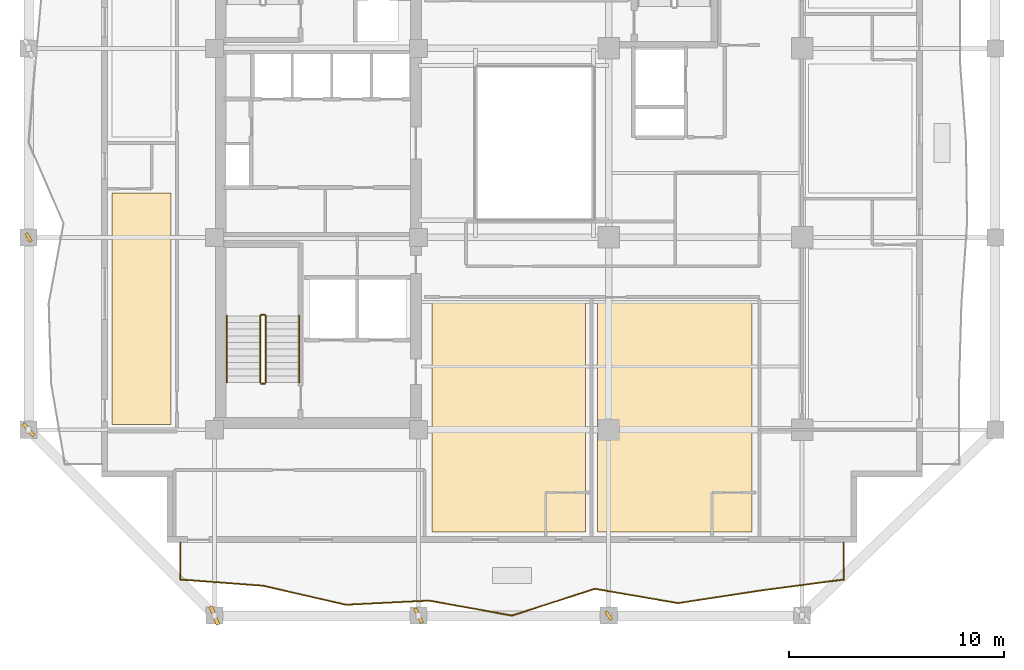
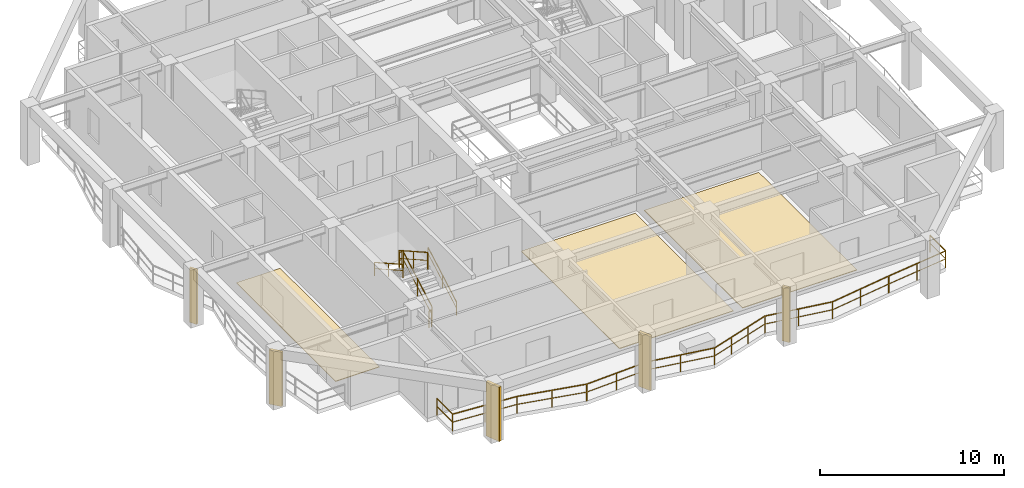
# One storey, part 8 of 11: 7 railings, 5 shading devices, 3 coverings.
"""IFC4 building model written with IfcOpenShell, lengths in metres."""

from ifc_helpers import new_model, si_unit, direction, frame, origin, origin_2d, place, context, subcontext, project, spatial, polyline, rectangle, outline, extrude, material, layer, layer_set, type_object, element, save


model = new_model("IFC4")

# Units and contexts
model_context = context("Model", 3, precision=1e-05, world=origin(), true_north=direction((0.0, 1.0)))
body_context = subcontext(model_context, "Body", "Model", "MODEL_VIEW")
ifc_project = project(units=[si_unit("LENGTHUNIT", "METRE"), si_unit("AREAUNIT", "SQUARE_METRE"), si_unit("VOLUMEUNIT", "CUBIC_METRE"), si_unit("PLANEANGLEUNIT", "RADIAN"), si_unit("MASSUNIT", "GRAM", prefix="KILO")], contexts=[model_context])

# Site, building, storey
site_placement = place(None, origin())
site = spatial("IfcSite", under=ifc_project, at=site_placement, CompositionType="ELEMENT")
building_placement = place(site_placement, origin())
building = spatial("IfcBuilding", under=site, at=building_placement, Name="Kundavana Baori Tower", CompositionType="ELEMENT")
storey_placement = place(building_placement, frame((0.0, 0.0, 119.39990234375)))
storey = spatial("IfcBuildingStorey", under=building, at=storey_placement, Name="L28", CompositionType="ELEMENT", Elevation=119.39990234375)

# Coverings
ifc_material_1 = material(Name="Honed Kota Stone and Terrazzo Flooring", Category="masonry")
ifc_layer = layer(ifc_material_1, 0.0400390625, Name="COV-FLR-TERR-40")
ifc_layer_set = layer_set([ifc_layer], Name="Honed Kota Stone and Terrazzo Flooring")
covering_type = type_object("IfcCoveringType", Name="COV-FLR-TERR-40", PredefinedType="FLOORING", material=ifc_layer_set)
covering_1_placement = place(storey_placement, origin())
element("IfcCovering", 1, at=covering_1_placement, inside=storey, type_object=covering_type, Name="L28 Room Finished Stone Flooring 1", PredefinedType="FLOORING", context=body_context, shape_type="SweptSolid", body=[
    extrude(outline(polyline([(10.679931640625, 15.5), (13.419921875, 15.5), (13.419921875, 26.27001953125), (10.679931640625, 26.27001953125), (10.679931640625, 15.5)])), origin(), (0.0, 0.0, 1.0), 0.0400390625),
])
covering_2_placement = place(storey_placement, origin())
element("IfcCovering", 2, at=covering_2_placement, inside=storey, type_object=covering_type, Name="L28 Room Finished Stone Flooring 3", PredefinedType="FLOORING", context=body_context, shape_type="SweptSolid", body=[
    extrude(outline(polyline([(25.580078125, 10.47998046875), (32.719970703125, 10.47998046875), (32.719970703125, 21.139892578125), (25.580078125, 21.139892578125), (25.580078125, 10.47998046875)])), origin(), (0.0, 0.0, 1.0), 0.0400390625),
])
covering_3_placement = place(storey_placement, origin())
element("IfcCovering", 3, at=covering_3_placement, inside=storey, type_object=covering_type, Name="L28 Room Finished Stone Flooring 4", PredefinedType="FLOORING", context=body_context, shape_type="SweptSolid", body=[
    extrude(outline(polyline([(33.280029296875, 10.47998046875), (40.4599609375, 10.47998046875), (40.4599609375, 21.139892578125), (33.280029296875, 21.139892578125), (33.280029296875, 10.47998046875)])), origin(), (0.0, 0.0, 1.0), 0.0400390625),
])

# Railings
ifc_material_2 = material(Name="Architectural Patinated Bronze Metalwork")
railing_type_1 = type_object("IfcRailingType", Name="RL-BAL-1150", PredefinedType="BALUSTRADE", material=ifc_material_2)
railing_1_placement = place(storey_placement, frame((44.75, 10.0, 0.0)))
element("IfcRailing", 4, at=railing_1_placement, inside=storey, type_object=railing_type_1, Name="L28 Loggia Balcony Balustrade S", PredefinedType="BALUSTRADE", context=body_context, shape_type="SweptSolid", body=[
    extrude(rectangle(XDim=0.048095703125, YDim=0.048095703125, at=origin_2d()), frame((0.0, 0.0, 1.1259765625), z_axis=(0.0, -1.0, 0.0), x_axis=(1.0, 0.0, 0.0)), (0.0, 0.0, 1.0), 1.719970703125),
    extrude(rectangle(XDim=0.03125, YDim=0.03125, at=origin_2d()), frame((0.0, 0.0, 0.597900390625), z_axis=(0.0, -1.0, 0.0), x_axis=(1.0, 0.0, 0.0)), (0.0, 0.0, 1.0), 1.719970703125),
    extrude(rectangle(XDim=0.048095703125, YDim=0.048095703125, at=origin_2d()), frame((0.0, -1.719970703125, 1.1259765625), z_axis=(-0.991299432241, -0.131626120656, 0.0), x_axis=(0.131626120656, -0.991299432241, 0.0)), (0.0, 0.0, 1.0), 3.89697265625),
    extrude(rectangle(XDim=0.03125, YDim=0.03125, at=origin_2d()), frame((0.0, -1.719970703125, 0.597900390625), z_axis=(-0.991299432241, -0.131626120656, 0.0), x_axis=(0.131626120656, -0.991299432241, 0.0)), (0.0, 0.0, 1.0), 3.89697265625),
    extrude(rectangle(XDim=0.048095703125, YDim=0.048095703125, at=origin_2d()), frame((-3.863037109375, -2.23291015625, 1.1259765625), z_axis=(-0.988565230538, -0.15079384925, 0.0), x_axis=(0.15079384925, -0.988565230538, 0.0)), (0.0, 0.0, 1.0), 3.90673828125),
    extrude(rectangle(XDim=0.03125, YDim=0.03125, at=origin_2d()), frame((-3.863037109375, -2.23291015625, 0.597900390625), z_axis=(-0.988565230538, -0.15079384925, 0.0), x_axis=(0.15079384925, -0.988565230538, 0.0)), (0.0, 0.0, 1.0), 3.90673828125),
    extrude(rectangle(XDim=0.048095703125, YDim=0.048095703125, at=origin_2d()), frame((-7.72509765625, -2.822021484375, 1.1259765625), z_axis=(-0.985410437692, 0.170194798064, 0.0), x_axis=(-0.170194798064, -0.985410437692, 0.0)), (0.0, 0.0, 1.0), 3.9189453125),
    extrude(rectangle(XDim=0.03125, YDim=0.03125, at=origin_2d()), frame((-7.72509765625, -2.822021484375, 0.597900390625), z_axis=(-0.985410437692, 0.170194798064, 0.0), x_axis=(-0.170194798064, -0.985410437692, 0.0)), (0.0, 0.0, 1.0), 3.9189453125),
    extrude(rectangle(XDim=0.048095703125, YDim=0.048095703125, at=origin_2d()), frame((-11.5869140625, -2.155029296875, 1.1259765625), z_axis=(-0.951799853944, -0.306719803783, 0.0), x_axis=(0.306719803783, -0.951799853944, 0.0)), (0.0, 0.0, 1.0), 4.05859375),
    extrude(rectangle(XDim=0.03125, YDim=0.03125, at=origin_2d()), frame((-11.5869140625, -2.155029296875, 0.597900390625), z_axis=(-0.951799853944, -0.306719803783, 0.0), x_axis=(0.306719803783, -0.951799853944, 0.0)), (0.0, 0.0, 1.0), 4.05859375),
    extrude(rectangle(XDim=0.048095703125, YDim=0.048095703125, at=origin_2d()), frame((-15.449951171875, -3.39990234375, 1.1259765625), z_axis=(-0.984198723654, 0.177067423195, 0.0), x_axis=(-0.177067423195, -0.984198723654, 0.0)), (0.0, 0.0, 1.0), 3.924072265625),
    extrude(rectangle(XDim=0.03125, YDim=0.03125, at=origin_2d()), frame((-15.449951171875, -3.39990234375, 0.597900390625), z_axis=(-0.984198723654, 0.177067423195, 0.0), x_axis=(-0.177067423195, -0.984198723654, 0.0)), (0.0, 0.0, 1.0), 3.924072265625),
    extrude(rectangle(XDim=0.048095703125, YDim=0.048095703125, at=origin_2d()), frame((-19.31201171875, -2.705078125, 1.1259765625), z_axis=(-0.998755956632, -0.049865209236, 0.0), x_axis=(0.049865209236, -0.998755956632, 0.0)), (0.0, 0.0, 1.0), 3.867919921875),
    extrude(rectangle(XDim=0.03125, YDim=0.03125, at=origin_2d()), frame((-19.31201171875, -2.705078125, 0.597900390625), z_axis=(-0.998755956632, -0.049865209236, 0.0), x_axis=(0.049865209236, -0.998755956632, 0.0)), (0.0, 0.0, 1.0), 3.867919921875),
    extrude(rectangle(XDim=0.048095703125, YDim=0.048095703125, at=origin_2d()), frame((-23.175048828125, -2.89794921875, 1.1259765625), z_axis=(-0.974693464174, 0.223545634929, 0.0), x_axis=(-0.223545634929, -0.974693464174, 0.0)), (0.0, 0.0, 1.0), 3.96337890625),
    extrude(rectangle(XDim=0.03125, YDim=0.03125, at=origin_2d()), frame((-23.175048828125, -2.89794921875, 0.597900390625), z_axis=(-0.974693464174, 0.223545634929, 0.0), x_axis=(-0.223545634929, -0.974693464174, 0.0)), (0.0, 0.0, 1.0), 3.96337890625),
    extrude(rectangle(XDim=0.048095703125, YDim=0.048095703125, at=origin_2d()), frame((-27.0380859375, -2.011962890625, 1.1259765625), z_axis=(-0.997153757003, 0.075394859867, 0.0), x_axis=(-0.075394859867, -0.997153757003, 0.0)), (0.0, 0.0, 1.0), 3.872802734375),
    extrude(rectangle(XDim=0.03125, YDim=0.03125, at=origin_2d()), frame((-27.0380859375, -2.011962890625, 0.597900390625), z_axis=(-0.997153757003, 0.075394859867, 0.0), x_axis=(-0.075394859867, -0.997153757003, 0.0)), (0.0, 0.0, 1.0), 3.872802734375),
    extrude(rectangle(XDim=0.048095703125, YDim=0.048095703125, at=origin_2d()), frame((-30.89990234375, -1.719970703125, 1.1259765625), z_axis=(0.0, 1.0, 0.0), x_axis=(-1.0, 0.0, 0.0)), (0.0, 0.0, 1.0), 1.719970703125),
    extrude(rectangle(XDim=0.03125, YDim=0.03125, at=origin_2d()), frame((-30.89990234375, -1.719970703125, 0.597900390625), z_axis=(0.0, 1.0, 0.0), x_axis=(-1.0, 0.0, 0.0)), (0.0, 0.0, 1.0), 1.719970703125),
    extrude(rectangle(XDim=0.0419921875, YDim=0.0419921875, at=origin_2d()), origin(), (0.0, 0.0, 1.0), 1.101806640625),
    extrude(rectangle(XDim=0.0419921875, YDim=0.0419921875, at=origin_2d()), frame((0.0, -1.719970703125, 0.0)), (0.0, 0.0, 1.0), 1.101806640625),
    extrude(rectangle(XDim=0.0419921875, YDim=0.0419921875, at=origin_2d()), frame((-1.931640625, -1.9765625, 0.0)), (0.0, 0.0, 1.0), 1.101806640625),
    extrude(rectangle(XDim=0.0419921875, YDim=0.0419921875, at=origin_2d()), frame((-3.863037109375, -2.23291015625, 0.0)), (0.0, 0.0, 1.0), 1.101806640625),
    extrude(rectangle(XDim=0.0419921875, YDim=0.0419921875, at=origin_2d()), frame((-5.7939453125, -2.52734375, 0.0)), (0.0, 0.0, 1.0), 1.101806640625),
    extrude(rectangle(XDim=0.0419921875, YDim=0.0419921875, at=origin_2d()), frame((-7.72509765625, -2.822021484375, 0.0)), (0.0, 0.0, 1.0), 1.101806640625),
    extrude(rectangle(XDim=0.0419921875, YDim=0.0419921875, at=origin_2d()), frame((-9.656005859375, -2.488525390625, 0.0)), (0.0, 0.0, 1.0), 1.101806640625),
    extrude(rectangle(XDim=0.0419921875, YDim=0.0419921875, at=origin_2d()), frame((-11.5869140625, -2.155029296875, 0.0)), (0.0, 0.0, 1.0), 1.101806640625),
    extrude(rectangle(XDim=0.0419921875, YDim=0.0419921875, at=origin_2d()), frame((-12.87451171875, -2.570068359375, 0.0)), (0.0, 0.0, 1.0), 1.101806640625),
    extrude(rectangle(XDim=0.0419921875, YDim=0.0419921875, at=origin_2d()), frame((-14.162353515625, -2.98486328125, 0.0)), (0.0, 0.0, 1.0), 1.101806640625),
    extrude(rectangle(XDim=0.0419921875, YDim=0.0419921875, at=origin_2d()), frame((-15.449951171875, -3.39990234375, 0.0)), (0.0, 0.0, 1.0), 1.101806640625),
    extrude(rectangle(XDim=0.0419921875, YDim=0.0419921875, at=origin_2d()), frame((-17.380859375, -3.052490234375, 0.0)), (0.0, 0.0, 1.0), 1.101806640625),
    extrude(rectangle(XDim=0.0419921875, YDim=0.0419921875, at=origin_2d()), frame((-19.31201171875, -2.705078125, 0.0)), (0.0, 0.0, 1.0), 1.101806640625),
    extrude(rectangle(XDim=0.0419921875, YDim=0.0419921875, at=origin_2d()), frame((-21.24365234375, -2.801513671875, 0.0)), (0.0, 0.0, 1.0), 1.101806640625),
    extrude(rectangle(XDim=0.0419921875, YDim=0.0419921875, at=origin_2d()), frame((-23.175048828125, -2.89794921875, 0.0)), (0.0, 0.0, 1.0), 1.101806640625),
    extrude(rectangle(XDim=0.0419921875, YDim=0.0419921875, at=origin_2d()), frame((-25.1064453125, -2.455078125, 0.0)), (0.0, 0.0, 1.0), 1.101806640625),
    extrude(rectangle(XDim=0.0419921875, YDim=0.0419921875, at=origin_2d()), frame((-27.0380859375, -2.011962890625, 0.0)), (0.0, 0.0, 1.0), 1.101806640625),
    extrude(rectangle(XDim=0.0419921875, YDim=0.0419921875, at=origin_2d()), frame((-28.968994140625, -1.865966796875, 0.0)), (0.0, 0.0, 1.0), 1.101806640625),
    extrude(rectangle(XDim=0.0419921875, YDim=0.0419921875, at=origin_2d()), frame((-30.89990234375, -1.719970703125, 0.0)), (0.0, 0.0, 1.0), 1.101806640625),
    extrude(rectangle(XDim=0.0419921875, YDim=0.0419921875, at=origin_2d()), frame((-30.89990234375, 0.0, 0.0)), (0.0, 0.0, 1.0), 1.101806640625),
])
ifc_material_3 = material(Name="Architectural Patinated Bronze Metalwork")
railing_type_2 = type_object("IfcRailingType", Name="RL-GRD-1150", PredefinedType="GUARDRAIL", material=ifc_material_3)
railing_2_placement = place(storey_placement, frame((17.840087890625, 17.449951171875, 0.175048828125)))
element("IfcRailing", 5, at=railing_2_placement, inside=storey, type_object=railing_type_2, Name="L28 ST1 stair guard 1", PredefinedType="GUARDRAIL", context=body_context, shape_type="SweptSolid", body=[
    extrude(rectangle(XDim=0.048095703125, YDim=0.048095703125, at=origin_2d()), frame((0.0, 0.0, 1.1259765625), z_axis=(0.0, 0.870830938388, 0.491582624537), x_axis=(-1.0, 0.0, 0.0)), (0.0, 0.0, 1.0), 3.559814453125),
    extrude(rectangle(XDim=0.03125, YDim=0.03125, at=origin_2d()), frame((0.0, 0.0, 0.597900390625), z_axis=(0.0, 0.870830938388, 0.491582624537), x_axis=(-1.0, 0.0, 0.0)), (0.0, 0.0, 1.0), 3.559814453125),
    extrude(rectangle(XDim=0.0419921875, YDim=0.0419921875, at=origin_2d()), origin(), (0.0, 0.0, 1.0), 1.101806640625),
    extrude(rectangle(XDim=0.0419921875, YDim=0.0419921875, at=origin_2d()), frame((0.0, 1.550048828125, 0.875)), (0.0, 0.0, 1.0), 1.101806640625),
    extrude(rectangle(XDim=0.0419921875, YDim=0.0419921875, at=origin_2d()), frame((0.0, 3.10009765625, 1.75)), (0.0, 0.0, 1.0), 1.101806640625),
])
railing_3_placement = place(storey_placement, frame((17.7900390625, 20.60009765625, 1.925048828125)))
element("IfcRailing", 6, at=railing_3_placement, inside=storey, type_object=railing_type_2, Name="L28 ST1 stair guard 2", PredefinedType="GUARDRAIL", context=body_context, shape_type="SweptSolid", body=[
    extrude(rectangle(XDim=0.048095703125, YDim=0.048095703125, at=origin_2d()), frame((0.0, 0.0, 1.1259765625), z_axis=(-1.0, 0.0, 0.0), x_axis=(0.0, -1.0, 0.0)), (0.0, 0.0, 1.0), 0.16015625),
    extrude(rectangle(XDim=0.03125, YDim=0.03125, at=origin_2d()), frame((0.0, 0.0, 0.597900390625), z_axis=(-1.0, 0.0, 0.0), x_axis=(0.0, -1.0, 0.0)), (0.0, 0.0, 1.0), 0.16015625),
    extrude(rectangle(XDim=0.0419921875, YDim=0.0419921875, at=origin_2d()), origin(), (0.0, 0.0, 1.0), 1.101806640625),
    extrude(rectangle(XDim=0.0419921875, YDim=0.0419921875, at=origin_2d()), frame((-0.16015625, 0.0, 0.0)), (0.0, 0.0, 1.0), 1.101806640625),
])
railing_4_placement = place(storey_placement, frame((17.580078125, 20.550048828125, 2.10009765625)))
element("IfcRailing", 7, at=railing_4_placement, inside=storey, type_object=railing_type_2, Name="L28 ST1 stair guard 3", PredefinedType="GUARDRAIL", context=body_context, shape_type="SweptSolid", body=[
    extrude(rectangle(XDim=0.048095703125, YDim=0.048095703125, at=origin_2d()), frame((0.0, 0.0, 1.1259765625), z_axis=(0.0, -0.870830938388, 0.491582624537), x_axis=(1.0, 0.0, 0.0)), (0.0, 0.0, 1.0), 3.559814453125),
    extrude(rectangle(XDim=0.03125, YDim=0.03125, at=origin_2d()), frame((0.0, 0.0, 0.597900390625), z_axis=(0.0, -0.870830938388, 0.491582624537), x_axis=(1.0, 0.0, 0.0)), (0.0, 0.0, 1.0), 3.559814453125),
    extrude(rectangle(XDim=0.0419921875, YDim=0.0419921875, at=origin_2d()), origin(), (0.0, 0.0, 1.0), 1.101806640625),
    extrude(rectangle(XDim=0.0419921875, YDim=0.0419921875, at=origin_2d()), frame((0.0, -1.550048828125, 0.875)), (0.0, 0.0, 1.0), 1.101806640625),
    extrude(rectangle(XDim=0.0419921875, YDim=0.0419921875, at=origin_2d()), frame((0.0, -3.10009765625, 1.75)), (0.0, 0.0, 1.0), 1.101806640625),
])
railing_5_placement = place(storey_placement, frame((17.7900390625, 17.39990234375, 0.0)))
element("IfcRailing", 8, at=railing_5_placement, inside=storey, type_object=railing_type_2, Name="L28 ST1 stair guard 4", PredefinedType="GUARDRAIL", context=body_context, shape_type="SweptSolid", body=[
    extrude(rectangle(XDim=0.048095703125, YDim=0.048095703125, at=origin_2d()), frame((0.0, 0.0, 1.1259765625), z_axis=(-1.0, 0.0, 0.0), x_axis=(0.0, -1.0, 0.0)), (0.0, 0.0, 1.0), 0.16015625),
    extrude(rectangle(XDim=0.03125, YDim=0.03125, at=origin_2d()), frame((0.0, 0.0, 0.597900390625), z_axis=(-1.0, 0.0, 0.0), x_axis=(0.0, -1.0, 0.0)), (0.0, 0.0, 1.0), 0.16015625),
    extrude(rectangle(XDim=0.0419921875, YDim=0.0419921875, at=origin_2d()), origin(), (0.0, 0.0, 1.0), 1.101806640625),
    extrude(rectangle(XDim=0.0419921875, YDim=0.0419921875, at=origin_2d()), frame((-0.16015625, 0.0, 0.0)), (0.0, 0.0, 1.0), 1.101806640625),
])
ifc_material_4 = material(Name="Architectural Patinated Bronze Metalwork")
railing_type_3 = type_object("IfcRailingType", Name="RL-HND-920", PredefinedType="HANDRAIL", material=ifc_material_4)
railing_6_placement = place(storey_placement, frame((19.389892578125, 17.449951171875, 0.175048828125)))
element("IfcRailing", 9, at=railing_6_placement, inside=storey, type_object=railing_type_3, Name="L28 ST1 stair handrail 1", PredefinedType="HANDRAIL", context=body_context, shape_type="SweptSolid", body=[
    extrude(rectangle(XDim=0.048095703125, YDim=0.048095703125, at=origin_2d()), frame((0.0, 0.0, 0.8759765625), z_axis=(0.0, 0.870830938388, 0.491582624537), x_axis=(-1.0, 0.0, 0.0)), (0.0, 0.0, 1.0), 3.559814453125),
    extrude(rectangle(XDim=0.03125, YDim=0.03125, at=origin_2d()), frame((0.0, 0.0, 0.468017578125), z_axis=(0.0, 0.870830938388, 0.491582624537), x_axis=(-1.0, 0.0, 0.0)), (0.0, 0.0, 1.0), 3.559814453125),
    extrude(rectangle(XDim=0.0419921875, YDim=0.0419921875, at=origin_2d()), origin(), (0.0, 0.0, 1.0), 0.851806640625),
    extrude(rectangle(XDim=0.0419921875, YDim=0.0419921875, at=origin_2d()), frame((0.0, 1.550048828125, 0.875)), (0.0, 0.0, 1.0), 0.851806640625),
    extrude(rectangle(XDim=0.0419921875, YDim=0.0419921875, at=origin_2d()), frame((0.0, 3.10009765625, 1.75)), (0.0, 0.0, 1.0), 0.851806640625),
])
railing_7_placement = place(storey_placement, frame((16.030029296875, 20.550048828125, 2.10009765625)))
element("IfcRailing", 10, at=railing_7_placement, inside=storey, type_object=railing_type_3, Name="L28 ST1 stair handrail 2", PredefinedType="HANDRAIL", context=body_context, shape_type="SweptSolid", body=[
    extrude(rectangle(XDim=0.048095703125, YDim=0.048095703125, at=origin_2d()), frame((0.0, 0.0, 0.8759765625), z_axis=(0.0, -0.870830938388, 0.491582624537), x_axis=(1.0, 0.0, 0.0)), (0.0, 0.0, 1.0), 3.559814453125),
    extrude(rectangle(XDim=0.03125, YDim=0.03125, at=origin_2d()), frame((0.0, 0.0, 0.468017578125), z_axis=(0.0, -0.870830938388, 0.491582624537), x_axis=(1.0, 0.0, 0.0)), (0.0, 0.0, 1.0), 3.559814453125),
    extrude(rectangle(XDim=0.0419921875, YDim=0.0419921875, at=origin_2d()), origin(), (0.0, 0.0, 1.0), 0.851806640625),
    extrude(rectangle(XDim=0.0419921875, YDim=0.0419921875, at=origin_2d()), frame((0.0, -1.550048828125, 0.875)), (0.0, 0.0, 1.0), 0.851806640625),
    extrude(rectangle(XDim=0.0419921875, YDim=0.0419921875, at=origin_2d()), frame((0.0, -3.10009765625, 1.75)), (0.0, 0.0, 1.0), 0.851806640625),
])

# Shading devices
ifc_material_5 = material(Name="Red-Buff Dholpur Sandstone Cladding on Concrete C40/50", Category="masonry")
shading_device_type_1 = type_object("IfcShadingDeviceType", Name="SHD-FIN-750", PredefinedType="JALOUSIE", material=ifc_material_5)
for number, where, z_axis, x_axis, name in (
    (11, (24.949951171875, 6.60009765625, 0.0), (0.0, 0.0, 1.0), (0.90586472537, 0.423567113136, 0.0), "L28 Sweeping Dholpur Sandstone Facade Fin 2"),
    (12, (6.800048828125, 15.25, 0.0), (0.0, 0.0, 1.0), (0.767389013234, 0.641181801339, 0.0), "L28 Sweeping Dholpur Sandstone Facade Fin 5"),
):
    element("IfcShadingDevice", number, at=place(storey_placement, frame(where, z_axis=z_axis, x_axis=x_axis)), inside=storey, type_object=shading_device_type_1, Name=name, PredefinedType="JALOUSIE", context=body_context, shape_type="SweptSolid", body=[
        extrude(rectangle(XDim=0.159912109375, YDim=0.75, at=origin_2d()), origin(), (0.0, 0.0, 1.0), 3.60009765625),
    ])
ifc_material_6 = material(Name="Red-Buff Dholpur Sandstone Cladding on Concrete C40/50", Category="masonry")
shading_device_type_2 = type_object("IfcShadingDeviceType", Name="SHD-FIN-920", PredefinedType="JALOUSIE", material=ifc_material_6)
shading_device_placement = place(storey_placement, frame((15.449951171875, 6.60009765625, 0.0), z_axis=(0.0, 0.0, 1.0), x_axis=(0.925936516366, 0.377679186163, 0.0)))
element("IfcShadingDevice", 13, at=shading_device_placement, inside=storey, type_object=shading_device_type_2, Name="L28 Sweeping Dholpur Sandstone Facade Fin 1", PredefinedType="JALOUSIE", context=body_context, shape_type="SweptSolid", body=[
    extrude(rectangle(XDim=0.179931640625, YDim=0.919921875, at=origin_2d()), origin(), (0.0, 0.0, 1.0), 3.60009765625),
])
ifc_material_7 = material(Name="Architectural Patinated Bronze Metalwork")
shading_device_type_3 = type_object("IfcShadingDeviceType", Name="SHD-LOUV-450", PredefinedType="SHUTTER", material=ifc_material_7)
for number, where, z_axis, x_axis, name in (
    (14, (33.800048828125, 6.60009765625, 0.0), (0.0, 0.0, 1.0), (0.825901536471, 0.563814377303, 0.0), "L28 Sweeping Dholpur Sandstone Facade Fin 3"),
    (15, (6.800048828125, 24.199951171875, 0.0), (0.0, 0.0, 1.0), (0.856447336576, 0.516234403806, 0.0), "L28 Sweeping Dholpur Sandstone Facade Fin 6"),
):
    element("IfcShadingDevice", number, at=place(storey_placement, frame(where, z_axis=z_axis, x_axis=x_axis)), inside=storey, type_object=shading_device_type_3, Name=name, PredefinedType="SHUTTER", context=body_context, shape_type="SweptSolid", body=[
        extrude(rectangle(XDim=0.139892578125, YDim=0.449951171875, at=origin_2d()), origin(), (0.0, 0.0, 1.0), 3.60009765625),
    ])

save(model, "model.ifc")
